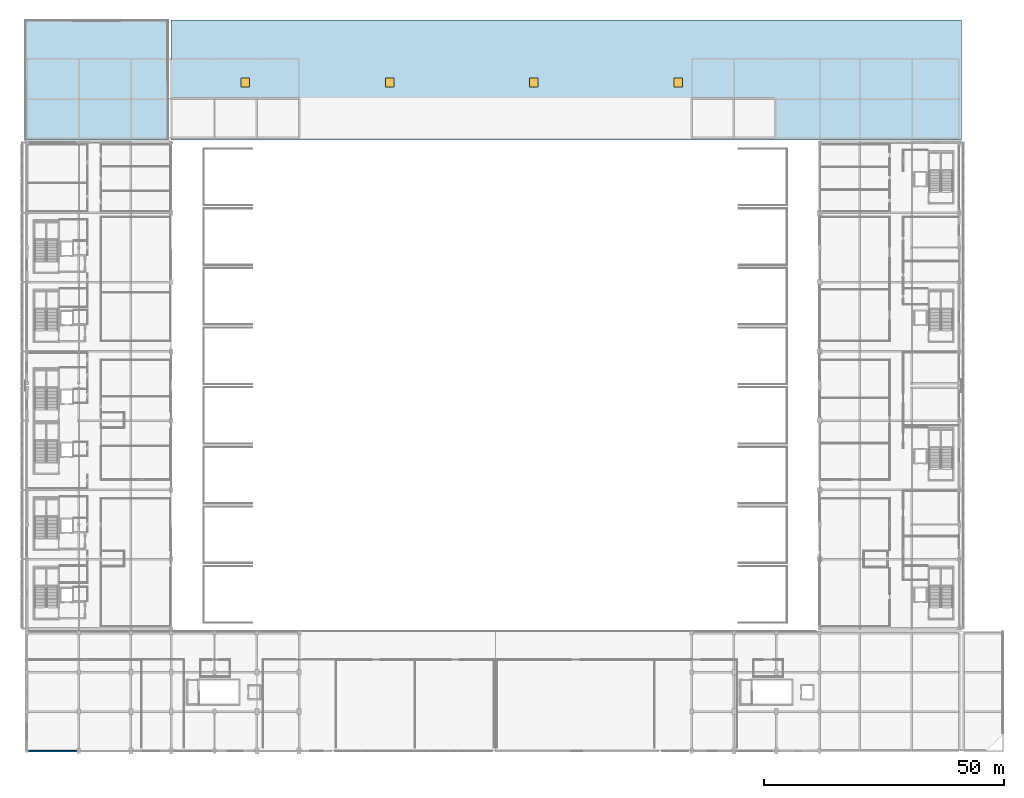
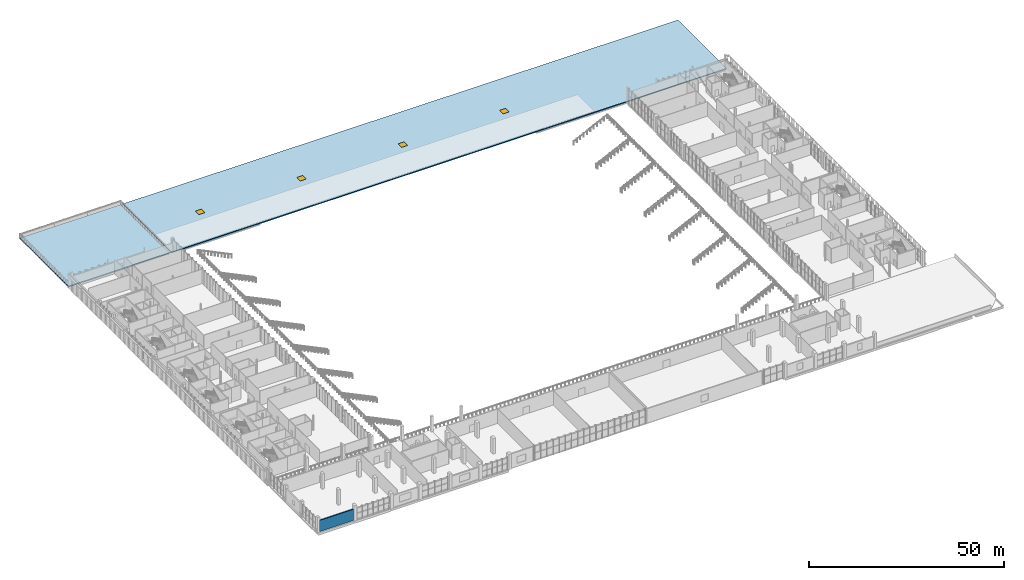
# One storey, part 61 of 104: 4 windows, 2 slabs, 1 wall, 4 openings.
"""IFC4 building model written with IfcOpenShell, lengths in metres."""

from ifc_helpers import new_model, si_unit, direction, frame, frame_2d, origin, origin_2d, place, context, subcontext, project, spatial, polyline, rectangle, outline, extrude, material, layer, layer_set, type_object, element, fill, save


model = new_model("IFC4")

# Units and contexts
model_context = context("Model", 3, precision=1e-05, world=origin(), true_north=direction((0.0, 1.0)))
body_context = subcontext(model_context, "Body", "Model", "MODEL_VIEW")
ifc_project = project(units=[si_unit("LENGTHUNIT", "METRE"), si_unit("AREAUNIT", "SQUARE_METRE"), si_unit("VOLUMEUNIT", "CUBIC_METRE"), si_unit("PLANEANGLEUNIT", "RADIAN"), si_unit("MASSUNIT", "GRAM", prefix="KILO")], contexts=[model_context])

# Site, building, storey
site_placement = place(None, origin())
site = spatial("IfcSite", under=ifc_project, at=site_placement, CompositionType="ELEMENT")
building_placement = place(site_placement, origin())
building = spatial("IfcBuilding", under=site, at=building_placement, Name="Koshinbarg Plaza Stadium", CompositionType="ELEMENT")
storey_placement = place(building_placement, frame((0.0, 0.0, 19.800048828125)))
storey = spatial("IfcBuildingStorey", under=building, at=storey_placement, Name="L04", CompositionType="ELEMENT", Elevation=19.800048828125)

# Slab, openings, windows
ifc_material_1 = material(Name="Concrete C35/45", Category="concrete")
ifc_layer_1 = layer(ifc_material_1, 0.300048828125)
ifc_layer_set_1 = layer_set([ifc_layer_1], Name="Concrete C35/45")
slab_type_1 = type_object("IfcSlabType", Name="SL-FLATROOF-260", PredefinedType="ROOF", material=ifc_layer_set_1)
slab_1_placement = place(storey_placement, frame((0.0, 0.0, -0.300048828125)))
slab_1 = element("IfcSlab", 1, at=slab_1_placement, inside=storey, type_object=slab_type_1, Name="L04 pavilion flat roof slab RF-V3-MID", PredefinedType="ROOF", context=body_context, shape_type="SweptSolid", body=[
    extrude(outline(polyline([(54.60009765625, 127.044921875), (218.955078125, 127.044921875), (218.955078125, 152.0), (54.60009765625, 152.0), (54.60009765625, 127.044921875)])), origin(), (0.0, 0.0, 1.0), 0.300048828125),
])
opening_1_placement = place(slab_1_placement, frame((70.0, 139.0, 0.0)))
opening_1 = element("IfcOpeningElement", 2, at=opening_1_placement, cuts=slab_1, Name="Opening SK01", PredefinedType="OPENING", context=body_context, shape_type="SweptSolid", body=[
    extrude(rectangle(XDim=1.800048828125, YDim=1.800048828125, at=origin_2d()), frame((0.0, 0.0, -0.010009765625)), (0.0, 0.0, 1.0), 0.320068359375),
])
opening_2_placement = place(slab_1_placement, frame((100.0, 139.0, 0.0)))
opening_2 = element("IfcOpeningElement", 3, at=opening_2_placement, cuts=slab_1, Name="Opening SK01", PredefinedType="OPENING", context=body_context, shape_type="SweptSolid", body=[
    extrude(rectangle(XDim=1.800048828125, YDim=1.800048828125, at=origin_2d()), frame((0.0, 0.0, -0.010009765625)), (0.0, 0.0, 1.0), 0.320068359375),
])
opening_3_placement = place(slab_1_placement, frame((130.0, 139.0, 0.0)))
opening_3 = element("IfcOpeningElement", 4, at=opening_3_placement, cuts=slab_1, Name="Opening SK01", PredefinedType="OPENING", context=body_context, shape_type="SweptSolid", body=[
    extrude(rectangle(XDim=1.800048828125, YDim=1.800048828125, at=origin_2d()), frame((0.0, 0.0, -0.010009765625)), (0.0, 0.0, 1.0), 0.320068359375),
])
opening_4_placement = place(slab_1_placement, frame((160.0, 139.0, 0.0)))
opening_4 = element("IfcOpeningElement", 5, at=opening_4_placement, cuts=slab_1, Name="Opening SK01", PredefinedType="OPENING", context=body_context, shape_type="SweptSolid", body=[
    extrude(rectangle(XDim=1.800048828125, YDim=1.800048828125, at=origin_2d()), frame((0.0, 0.0, -0.010009765625)), (0.0, 0.0, 1.0), 0.320068359375),
])
ifc_material_2 = material(Name="Laminated solar-control skylight glazing in aluminium curb", Category="aluminium")
window_type = type_object("IfcWindowType", Name="WN-SKY-1800", PartitioningType="SINGLE_PANEL", PredefinedType="SKYLIGHT", material=ifc_material_2)
window_1_placement = place(opening_1_placement, frame((0.0, 0.0, 0.25)))
window_1 = element("IfcWindow", 6, at=window_1_placement, inside=storey, type_object=window_type, Name="L04 museum skylight 01", OverallHeight=1.800048828125, OverallWidth=1.800048828125, PartitioningType="SINGLE_PANEL", PredefinedType="SKYLIGHT", context=body_context, shape_type="SweptSolid", body=[
    extrude(rectangle(XDim=1.800048828125, YDim=1.800048828125, at=origin_2d()), origin(), (0.0, 0.0, 1.0), 0.050048828125),
])
fill(opening_1, window_1)
window_2_placement = place(opening_2_placement, frame((0.0, 0.0, 0.25)))
window_2 = element("IfcWindow", 7, at=window_2_placement, inside=storey, type_object=window_type, Name="L04 museum skylight 02", OverallHeight=1.800048828125, OverallWidth=1.800048828125, PartitioningType="SINGLE_PANEL", PredefinedType="SKYLIGHT", context=body_context, shape_type="SweptSolid", body=[
    extrude(rectangle(XDim=1.800048828125, YDim=1.800048828125, at=origin_2d()), origin(), (0.0, 0.0, 1.0), 0.050048828125),
])
fill(opening_2, window_2)
window_3_placement = place(opening_3_placement, frame((0.0, 0.0, 0.25)))
window_3 = element("IfcWindow", 8, at=window_3_placement, inside=storey, type_object=window_type, Name="L04 museum skylight 03", OverallHeight=1.800048828125, OverallWidth=1.800048828125, PartitioningType="SINGLE_PANEL", PredefinedType="SKYLIGHT", context=body_context, shape_type="SweptSolid", body=[
    extrude(rectangle(XDim=1.800048828125, YDim=1.800048828125, at=origin_2d()), origin(), (0.0, 0.0, 1.0), 0.050048828125),
])
fill(opening_3, window_3)
window_4_placement = place(opening_4_placement, frame((0.0, 0.0, 0.25)))
window_4 = element("IfcWindow", 9, at=window_4_placement, inside=storey, type_object=window_type, Name="L04 museum skylight 04", OverallHeight=1.800048828125, OverallWidth=1.800048828125, PartitioningType="SINGLE_PANEL", PredefinedType="SKYLIGHT", context=body_context, shape_type="SweptSolid", body=[
    extrude(rectangle(XDim=1.800048828125, YDim=1.800048828125, at=origin_2d()), origin(), (0.0, 0.0, 1.0), 0.050048828125),
])
fill(opening_4, window_4)

# Slab
ifc_layer_2 = layer(ifc_material_1, 0.360107421875)
ifc_layer_set_2 = layer_set([ifc_layer_2], Name="Concrete C35/45")
slab_type_2 = type_object("IfcSlabType", Name="SL-RGARDEN-360", PredefinedType="ROOF", material=ifc_layer_set_2)
slab_2_placement = place(storey_placement, frame((0.0, 0.0, -0.360107421875)))
element("IfcSlab", 10, at=slab_2_placement, inside=storey, type_object=slab_type_2, Name="planted roof garden terrace RG-L04-N", PredefinedType="ROOF", context=body_context, shape_type="SweptSolid", body=[
    extrude(outline(polyline([(24.14501953125, 127.044921875), (54.0, 127.044921875), (54.0, 152.0), (24.14501953125, 152.0), (24.14501953125, 127.044921875)])), origin(), (0.0, 0.0, 1.0), 0.360107421875),
])

# Wall
ifc_material_3 = material(Name="Off-white mineral plaster insulated wall", Category="masonry")
ifc_layer_3 = layer(ifc_material_3, 0.300048828125)
ifc_layer_set_3 = layer_set([ifc_layer_3], Name="Off-white mineral plaster insulated wall")
wall_type = type_object("IfcWallType", Name="WL-EXT-300", PredefinedType="SOLIDWALL", material=ifc_layer_set_3)
wall_placement = place(storey_placement, frame((35.054931640625, 0.0, 0.0), z_axis=(0.0, 0.0, 1.0), x_axis=(-1.0, 0.0, 0.0)))
element("IfcWall", 11, at=wall_placement, inside=storey, type_object=wall_type, Name="L04 exterior envelope wall EWL-L04-0221", PredefinedType="SOLIDWALL", context=body_context, shape_type="SweptSolid", body=[
    extrude(rectangle(XDim=10.10986328125, YDim=0.300048828125, at=frame_2d((5.054931640625, 0.0))), origin(), (0.0, 0.0, 1.0), 3.52001953125),
])

save(model, "model.ifc")
